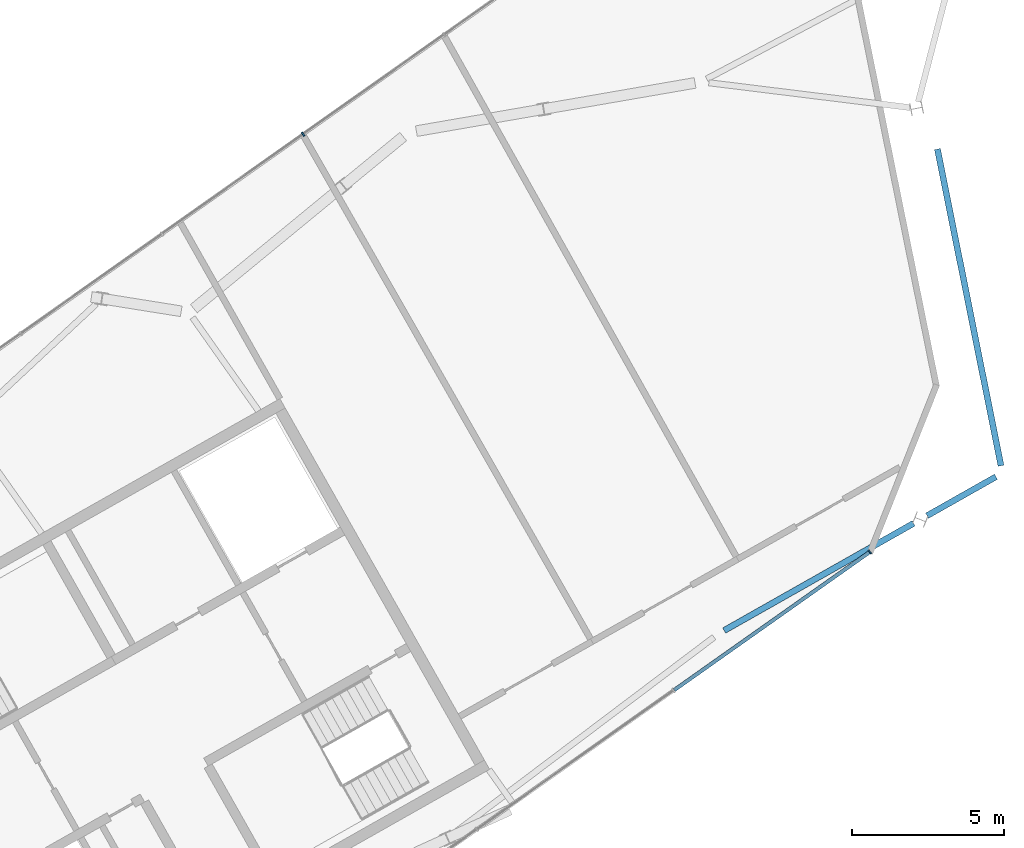
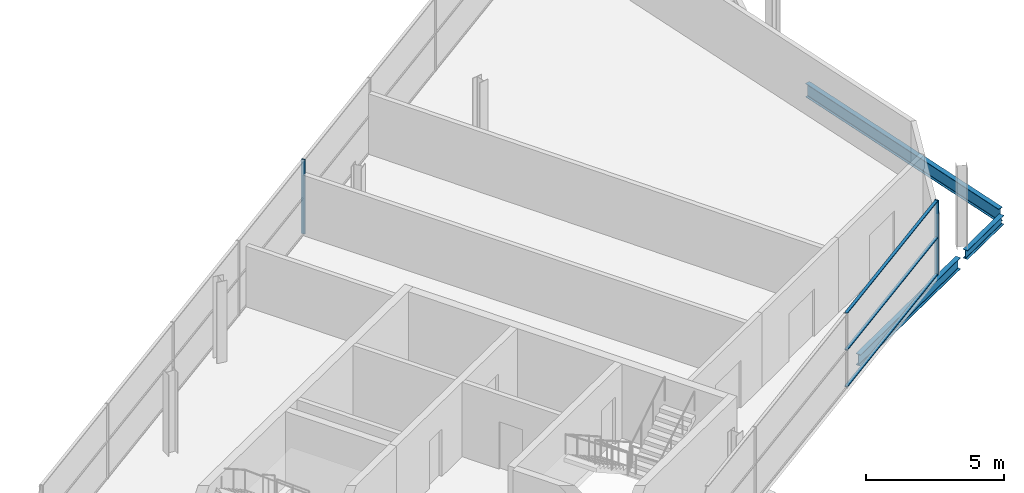
# One storey, part 7 of 11: 5 members, 3 beams, 2 elements without a shape of their own.
"""IFC4 building model written with IfcOpenShell, lengths in metres."""

from ifc_helpers import new_model, si_unit, direction, frame, origin, origin_2d, place, context, subcontext, project, spatial, rectangle, i_section, extrude, material, material_profile, profile_set, type_object, element, aggregate, save


model = new_model("IFC4")

# Units and contexts
model_context = context("Model", 3, precision=1e-05, world=origin(), true_north=direction((0.0, 1.0)))
body_context = subcontext(model_context, "Body", "Model", "MODEL_VIEW")
ifc_project = project(units=[si_unit("LENGTHUNIT", "METRE"), si_unit("AREAUNIT", "SQUARE_METRE"), si_unit("VOLUMEUNIT", "CUBIC_METRE"), si_unit("PLANEANGLEUNIT", "RADIAN"), si_unit("MASSUNIT", "GRAM", prefix="KILO")], contexts=[model_context])

# Site, building, storey
site_placement = place(None, origin())
site = spatial("IfcSite", under=ifc_project, at=site_placement, CompositionType="ELEMENT")
building_placement = place(site_placement, origin())
building = spatial("IfcBuilding", under=site, at=building_placement, Name="Binnacle Exchange Tower", CompositionType="ELEMENT")
storey_placement = place(building_placement, frame((0.0, 0.0, 361.300048828125)))
storey = spatial("IfcBuildingStorey", under=building, at=storey_placement, Name="L83", CompositionType="ELEMENT", Elevation=361.300048828125)

# Curtain wall, member
ifc_material_1 = material(Name="Bronze anodised aluminium frame", Category="aluminium")
curtain_wall_type = type_object("IfcCurtainWallType", Name="External wall - curtain wall crown top", PredefinedType="NOTDEFINED", material=ifc_material_1)
curtain_wall_1_placement = place(storey_placement, origin())
curtain_wall_1 = element("IfcCurtainWall", 1, at=curtain_wall_1_placement, inside=storey, type_object=curtain_wall_type, Name="External wall curtain wall CW6-C303 L83", PredefinedType="NOTDEFINED")
ifc_material_profile_1 = material_profile(ifc_material_1, rectangle(XDim=0.14990234375, YDim=0.050048828125, at=origin_2d()), Name="AL 50x150")
ifc_profile_set_1 = profile_set([ifc_material_profile_1], Name="Bronze anodised aluminium frame")
member_type_1 = type_object("IfcMemberType", Name="CW6 MULLION 50x150", PredefinedType="MULLION", material=ifc_profile_set_1)
member_1_placement = place(storey_placement, frame((-31.05078125, 58.73828125, 0.0), z_axis=(0.0, 0.0, 1.0), x_axis=(0.576854127285, -0.816847180221, 0.0)))
member_1 = element("IfcMember", 2, at=member_1_placement, type_object=member_type_1, Name="CW6-C303 mullion 4", PredefinedType="MULLION", context=body_context, shape_type="SweptSolid", body=[
    extrude(rectangle(XDim=0.14990234375, YDim=0.050048828125, at=origin_2d()), origin(), (0.0, 0.0, 1.0), 3.300048828125),
])
aggregate(curtain_wall_1, [member_1])

# Curtain wall, members
curtain_wall_2_placement = place(storey_placement, origin())
curtain_wall_2 = element("IfcCurtainWall", 3, at=curtain_wall_2_placement, inside=storey, type_object=curtain_wall_type, Name="External wall curtain wall CW6-C307 L83", PredefinedType="NOTDEFINED")
member_2_placement = place(storey_placement, frame((-12.422607421875, 45.0048828125, 0.0), z_axis=(0.0, 0.0, 1.0), x_axis=(-0.576854127285, 0.816847180221, 0.0)))
member_2 = element("IfcMember", 4, at=member_2_placement, type_object=member_type_1, Name="CW6-C307 mullion 5", PredefinedType="MULLION", context=body_context, shape_type="SweptSolid", body=[
    extrude(rectangle(XDim=0.14990234375, YDim=0.050048828125, at=origin_2d()), origin(), (0.0, 0.0, 1.0), 3.300048828125),
])
ifc_material_profile_2 = material_profile(ifc_material_1, rectangle(XDim=0.1201171875, YDim=0.0400390625, at=origin_2d()), Name="AL 120x40")
ifc_profile_set_2 = profile_set([ifc_material_profile_2], Name="Bronze anodised aluminium frame")
member_type_2 = type_object("IfcMemberType", Name="CW6 TRANSOM 40x120", PredefinedType="USERDEFINED", material=ifc_profile_set_2)
member_3_placement = place(storey_placement, frame((-18.850830078125, 40.46533203125, 0.02001953125), z_axis=(0.816844504093, 0.576857916763, 0.0), x_axis=(-0.576857916763, 0.816844504093, 0.0)))
member_3 = element("IfcMember", 5, at=member_3_placement, type_object=member_type_2, Name="CW6-C307 transom 4.1", ObjectType="TRANSOM", PredefinedType="USERDEFINED", context=body_context, shape_type="SweptSolid", body=[
    extrude(rectangle(XDim=0.1201171875, YDim=0.0400390625, at=origin_2d()), origin(), (0.0, 0.0, 1.0), 7.844482421875),
])
member_4_placement = place(storey_placement, frame((-18.850830078125, 40.46533203125, 1.64990234375), z_axis=(0.816844504093, 0.576857916763, 0.0), x_axis=(-0.576857916763, 0.816844504093, 0.0)))
member_4 = element("IfcMember", 6, at=member_4_placement, type_object=member_type_2, Name="CW6-C307 transom 4.2", ObjectType="TRANSOM", PredefinedType="USERDEFINED", context=body_context, shape_type="SweptSolid", body=[
    extrude(rectangle(XDim=0.1201171875, YDim=0.0400390625, at=origin_2d()), origin(), (0.0, 0.0, 1.0), 7.844482421875),
])
member_5_placement = place(storey_placement, frame((-18.850830078125, 40.46533203125, 3.280029296875), z_axis=(0.816844504093, 0.576857916763, 0.0), x_axis=(-0.576857916763, 0.816844504093, 0.0)))
member_5 = element("IfcMember", 7, at=member_5_placement, type_object=member_type_2, Name="CW6-C307 transom 4.3", ObjectType="TRANSOM", PredefinedType="USERDEFINED", context=body_context, shape_type="SweptSolid", body=[
    extrude(rectangle(XDim=0.1201171875, YDim=0.0400390625, at=origin_2d()), origin(), (0.0, 0.0, 1.0), 7.844482421875),
])
aggregate(curtain_wall_2, [member_2, member_3, member_4, member_5])

# Beams
ifc_material_2 = material(Name="Steel S355 (SHN355)", Category="steel")
ifc_material_profile_3 = material_profile(ifc_material_2, i_section(OverallWidth=0.199951171875, OverallDepth=0.39990234375, WebThickness=0.008056640625, FlangeThickness=0.012939453125, FilletRadius=0.01611328125, at=origin_2d()), Name="H 400x200x8x13")
ifc_profile_set_3 = profile_set([ifc_material_profile_3], Name="Steel S355 (SHN355)")
beam_type_1 = type_object("IfcBeamType", Name="Edge girder H 400x200x8x13 Steel S355 (SHN355)", PredefinedType="SPANDREL", material=ifc_profile_set_3)
beam_1_placement = place(storey_placement, frame((-10.53662109375, 46.197021484375, -0.5), z_axis=(0.870349468157, 0.49243456751, 0.0), x_axis=(-0.49243456751, 0.870349468157, 0.0)))
element("IfcBeam", 8, at=beam_1_placement, inside=storey, type_object=beam_type_1, Name="S:BM:edge:L83:018", PredefinedType="SPANDREL", context=body_context, shape_type="SweptSolid", body=[
    extrude(i_section(OverallWidth=0.199951171875, OverallDepth=0.39990234375, WebThickness=0.008056640625, FlangeThickness=0.012939453125, FilletRadius=0.01611328125, at=origin_2d()), origin(), (0.0, 0.0, 1.0), 2.600830078125),
])
ifc_material_profile_4 = material_profile(ifc_material_2, i_section(OverallWidth=0.200927734375, OverallDepth=0.506103515625, WebThickness=0.010986328125, FlangeThickness=0.01904296875, FilletRadius=0.02001953125, at=origin_2d()), Name="H 506x201x11x19")
ifc_profile_set_4 = profile_set([ifc_material_profile_4], Name="Steel S355 (SHN355)")
beam_type_2 = type_object("IfcBeamType", Name="Edge girder H 506x201x11x19 Steel S355 (SHN355)", PredefinedType="SPANDREL", material=ifc_profile_set_4)
beam_2_placement = place(storey_placement, frame((-17.20751953125, 42.422607421875, -0.552978515625), z_axis=(0.87034465486, 0.492443074636, 0.0), x_axis=(-0.492443074636, 0.87034465486, 0.0)))
element("IfcBeam", 9, at=beam_2_placement, inside=storey, type_object=beam_type_2, Name="S:BM:edge:L83:017", PredefinedType="SPANDREL", context=body_context, shape_type="SweptSolid", body=[
    extrude(i_section(OverallWidth=0.200927734375, OverallDepth=0.506103515625, WebThickness=0.010986328125, FlangeThickness=0.01904296875, FilletRadius=0.02001953125, at=origin_2d()), origin(), (0.0, 0.0, 1.0), 7.151123046875),
])
ifc_material_profile_5 = material_profile(ifc_material_2, i_section(OverallWidth=0.199951171875, OverallDepth=0.60009765625, WebThickness=0.010986328125, FlangeThickness=0.01708984375, FilletRadius=0.02197265625, at=origin_2d()), Name="H 600x200x11x17")
ifc_profile_set_5 = profile_set([ifc_material_profile_5], Name="Steel S355 (SHN355)")
beam_type_3 = type_object("IfcBeamType", Name="Edge girder H 600x200x11x17 Steel S355 (SHN355)", PredefinedType="SPANDREL", material=ifc_profile_set_5)
beam_3_placement = place(storey_placement, frame((-8.1064453125, 47.84130859375, -0.60009765625), z_axis=(-0.19693871547, 0.980415800744, 0.0), x_axis=(-0.980415800744, -0.19693871547, 0.0)))
element("IfcBeam", 10, at=beam_3_placement, inside=storey, type_object=beam_type_3, Name="S:BM:edge:L83:019", PredefinedType="SPANDREL", context=body_context, shape_type="SweptSolid", body=[
    extrude(i_section(OverallWidth=0.199951171875, OverallDepth=0.60009765625, WebThickness=0.010986328125, FlangeThickness=0.01708984375, FilletRadius=0.02197265625, at=origin_2d()), origin(), (0.0, 0.0, 1.0), 10.615478515625),
])

save(model, "model.ifc")
